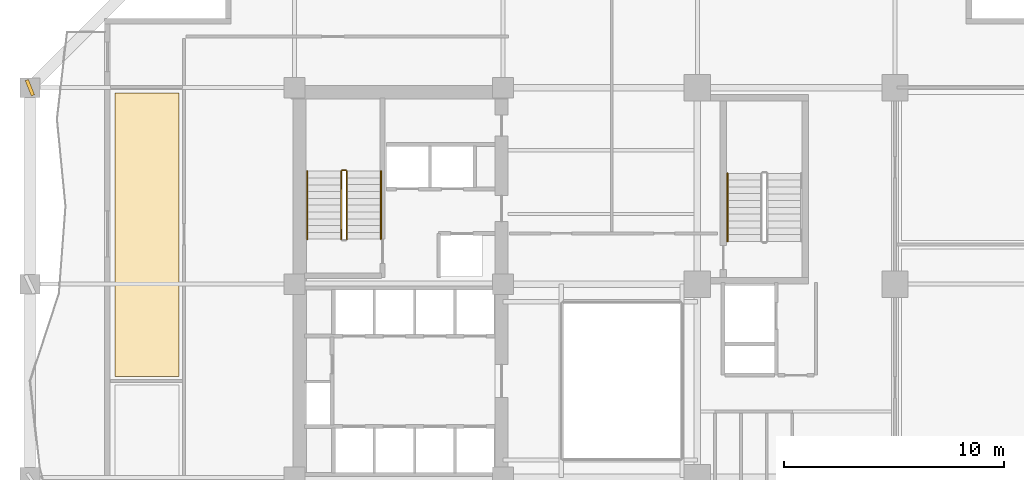
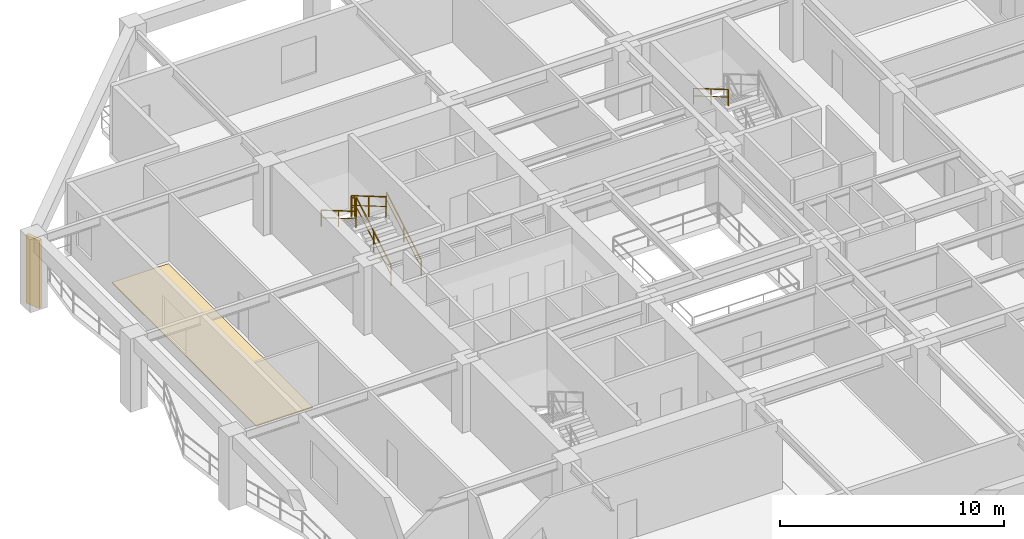
# One storey, part 10 of 12: 6 railings, 1 covering, 1 shading device.
"""IFC4 building model written with IfcOpenShell, lengths in metres."""

from ifc_helpers import new_model, si_unit, direction, frame, origin, origin_2d, place, context, subcontext, project, spatial, polyline, rectangle, outline, extrude, material, layer, layer_set, type_object, element, save


model = new_model("IFC4")

# Units and contexts
model_context = context("Model", 3, precision=1e-05, world=origin(), true_north=direction((0.0, 1.0)))
body_context = subcontext(model_context, "Body", "Model", "MODEL_VIEW")
ifc_project = project(units=[si_unit("LENGTHUNIT", "METRE"), si_unit("AREAUNIT", "SQUARE_METRE"), si_unit("VOLUMEUNIT", "CUBIC_METRE"), si_unit("PLANEANGLEUNIT", "RADIAN"), si_unit("MASSUNIT", "GRAM", prefix="KILO")], contexts=[model_context])

# Site, building, storey
site_placement = place(None, origin())
site = spatial("IfcSite", under=ifc_project, at=site_placement, CompositionType="ELEMENT")
building_placement = place(site_placement, origin())
building = spatial("IfcBuilding", under=site, at=building_placement, Name="Kundavana Baori Tower", CompositionType="ELEMENT")
storey_placement = place(building_placement, frame((0.0, 0.0, 42.0)))
storey = spatial("IfcBuildingStorey", under=building, at=storey_placement, Name="L09", CompositionType="ELEMENT", Elevation=42.0)

# Covering
ifc_material_1 = material(Name="Honed Kota Stone and Terrazzo Flooring", Category="masonry")
ifc_layer = layer(ifc_material_1, 0.0400390625, Name="COV-FLR-TERR-40")
ifc_layer_set = layer_set([ifc_layer], Name="Honed Kota Stone and Terrazzo Flooring")
covering_type = type_object("IfcCoveringType", Name="COV-FLR-TERR-40", PredefinedType="FLOORING", material=ifc_layer_set)
covering_placement = place(storey_placement, origin())
element("IfcCovering", 1, at=covering_placement, inside=storey, type_object=covering_type, Name="L09 Room Finished Stone Flooring 2", PredefinedType="FLOORING", context=body_context, shape_type="SweptSolid", body=[
    extrude(outline(polyline([(7.280029296875, 28.800048828125), (10.199951171875, 28.800048828125), (10.199951171875, 41.699951171875), (7.280029296875, 41.699951171875), (7.280029296875, 28.800048828125)])), origin(), (0.0, 0.0, 1.0), 0.0400390625),
])

# Railings
ifc_material_2 = material(Name="Architectural Patinated Bronze Metalwork")
railing_type_1 = type_object("IfcRailingType", Name="RL-GRD-1150", PredefinedType="GUARDRAIL", material=ifc_material_2)
railing_1_placement = place(storey_placement, frame((17.840087890625, 35.050048828125, 0.181884765625)))
element("IfcRailing", 2, at=railing_1_placement, inside=storey, type_object=railing_type_1, Name="L09 ST2 stair guard 1", PredefinedType="GUARDRAIL", context=body_context, shape_type="SweptSolid", body=[
    extrude(rectangle(XDim=0.048095703125, YDim=0.048095703125, at=origin_2d()), frame((0.0, 0.0, 1.1259765625), z_axis=(0.0, 0.86258143422, 0.50591824373), x_axis=(-1.0, 0.0, 0.0)), (0.0, 0.0, 1.0), 3.59375),
    extrude(rectangle(XDim=0.03125, YDim=0.03125, at=origin_2d()), frame((0.0, 0.0, 0.597900390625), z_axis=(0.0, 0.86258143422, 0.50591824373), x_axis=(-1.0, 0.0, 0.0)), (0.0, 0.0, 1.0), 3.59375),
    extrude(rectangle(XDim=0.0419921875, YDim=0.0419921875, at=origin_2d()), origin(), (0.0, 0.0, 1.0), 1.101806640625),
    extrude(rectangle(XDim=0.0419921875, YDim=0.0419921875, at=origin_2d()), frame((0.0, 1.5498046875, 0.9091796875)), (0.0, 0.0, 1.0), 1.101806640625),
    extrude(rectangle(XDim=0.0419921875, YDim=0.0419921875, at=origin_2d()), frame((0.0, 3.099853515625, 1.818115234375)), (0.0, 0.0, 1.0), 1.101806640625),
])
railing_2_placement = place(storey_placement, frame((17.7900390625, 38.199951171875, 2.0)))
element("IfcRailing", 3, at=railing_2_placement, inside=storey, type_object=railing_type_1, Name="L09 ST2 stair guard 2", PredefinedType="GUARDRAIL", context=body_context, shape_type="SweptSolid", body=[
    extrude(rectangle(XDim=0.048095703125, YDim=0.048095703125, at=origin_2d()), frame((0.0, 0.0, 1.1259765625), z_axis=(-1.0, 0.0, 0.0), x_axis=(0.0, -1.0, 0.0)), (0.0, 0.0, 1.0), 0.16015625),
    extrude(rectangle(XDim=0.03125, YDim=0.03125, at=origin_2d()), frame((0.0, 0.0, 0.597900390625), z_axis=(-1.0, 0.0, 0.0), x_axis=(0.0, -1.0, 0.0)), (0.0, 0.0, 1.0), 0.16015625),
    extrude(rectangle(XDim=0.0419921875, YDim=0.0419921875, at=origin_2d()), origin(), (0.0, 0.0, 1.0), 1.101806640625),
    extrude(rectangle(XDim=0.0419921875, YDim=0.0419921875, at=origin_2d()), frame((-0.16015625, 0.0, 0.0)), (0.0, 0.0, 1.0), 1.101806640625),
])
railing_3_placement = place(storey_placement, frame((17.580078125, 38.14990234375, 2.181884765625)))
element("IfcRailing", 4, at=railing_3_placement, inside=storey, type_object=railing_type_1, Name="L09 ST2 stair guard 3", PredefinedType="GUARDRAIL", context=body_context, shape_type="SweptSolid", body=[
    extrude(rectangle(XDim=0.048095703125, YDim=0.048095703125, at=origin_2d()), frame((0.0, 0.0, 1.1259765625), z_axis=(0.0, -0.86258143422, 0.50591824373), x_axis=(1.0, 0.0, 0.0)), (0.0, 0.0, 1.0), 3.59375),
    extrude(rectangle(XDim=0.03125, YDim=0.03125, at=origin_2d()), frame((0.0, 0.0, 0.597900390625), z_axis=(0.0, -0.86258143422, 0.50591824373), x_axis=(1.0, 0.0, 0.0)), (0.0, 0.0, 1.0), 3.59375),
    extrude(rectangle(XDim=0.0419921875, YDim=0.0419921875, at=origin_2d()), origin(), (0.0, 0.0, 1.0), 1.101806640625),
    extrude(rectangle(XDim=0.0419921875, YDim=0.0419921875, at=origin_2d()), frame((0.0, -1.5498046875, 0.9091796875)), (0.0, 0.0, 1.0), 1.101806640625),
    extrude(rectangle(XDim=0.0419921875, YDim=0.0419921875, at=origin_2d()), frame((0.0, -3.099853515625, 1.818115234375)), (0.0, 0.0, 1.0), 1.101806640625),
])
ifc_material_3 = material(Name="Architectural Patinated Bronze Metalwork")
railing_type_2 = type_object("IfcRailingType", Name="RL-HND-920", PredefinedType="HANDRAIL", material=ifc_material_3)
railing_4_placement = place(storey_placement, frame((19.389892578125, 35.050048828125, 0.181884765625)))
element("IfcRailing", 5, at=railing_4_placement, inside=storey, type_object=railing_type_2, Name="L09 ST2 stair handrail 1", PredefinedType="HANDRAIL", context=body_context, shape_type="SweptSolid", body=[
    extrude(rectangle(XDim=0.048095703125, YDim=0.048095703125, at=origin_2d()), frame((0.0, 0.0, 0.8759765625), z_axis=(0.0, 0.86258143422, 0.50591824373), x_axis=(-1.0, 0.0, 0.0)), (0.0, 0.0, 1.0), 3.59375),
    extrude(rectangle(XDim=0.03125, YDim=0.03125, at=origin_2d()), frame((0.0, 0.0, 0.468017578125), z_axis=(0.0, 0.86258143422, 0.50591824373), x_axis=(-1.0, 0.0, 0.0)), (0.0, 0.0, 1.0), 3.59375),
    extrude(rectangle(XDim=0.0419921875, YDim=0.0419921875, at=origin_2d()), origin(), (0.0, 0.0, 1.0), 0.851806640625),
    extrude(rectangle(XDim=0.0419921875, YDim=0.0419921875, at=origin_2d()), frame((0.0, 1.5498046875, 0.9091796875)), (0.0, 0.0, 1.0), 0.851806640625),
    extrude(rectangle(XDim=0.0419921875, YDim=0.0419921875, at=origin_2d()), frame((0.0, 3.099853515625, 1.818115234375)), (0.0, 0.0, 1.0), 0.851806640625),
])
railing_5_placement = place(storey_placement, frame((16.030029296875, 38.14990234375, 2.181884765625)))
element("IfcRailing", 6, at=railing_5_placement, inside=storey, type_object=railing_type_2, Name="L09 ST2 stair handrail 2", PredefinedType="HANDRAIL", context=body_context, shape_type="SweptSolid", body=[
    extrude(rectangle(XDim=0.048095703125, YDim=0.048095703125, at=origin_2d()), frame((0.0, 0.0, 0.8759765625), z_axis=(0.0, -0.86258143422, 0.50591824373), x_axis=(1.0, 0.0, 0.0)), (0.0, 0.0, 1.0), 3.59375),
    extrude(rectangle(XDim=0.03125, YDim=0.03125, at=origin_2d()), frame((0.0, 0.0, 0.468017578125), z_axis=(0.0, -0.86258143422, 0.50591824373), x_axis=(1.0, 0.0, 0.0)), (0.0, 0.0, 1.0), 3.59375),
    extrude(rectangle(XDim=0.0419921875, YDim=0.0419921875, at=origin_2d()), origin(), (0.0, 0.0, 1.0), 0.851806640625),
    extrude(rectangle(XDim=0.0419921875, YDim=0.0419921875, at=origin_2d()), frame((0.0, -1.5498046875, 0.9091796875)), (0.0, 0.0, 1.0), 0.851806640625),
    extrude(rectangle(XDim=0.0419921875, YDim=0.0419921875, at=origin_2d()), frame((0.0, -3.099853515625, 1.818115234375)), (0.0, 0.0, 1.0), 0.851806640625),
])
railing_6_placement = place(storey_placement, frame((35.169921875, 38.050048828125, 2.181884765625)))
element("IfcRailing", 7, at=railing_6_placement, inside=storey, type_object=railing_type_2, Name="L09 ST3 stair handrail 2", PredefinedType="HANDRAIL", context=body_context, shape_type="SweptSolid", body=[
    extrude(rectangle(XDim=0.048095703125, YDim=0.048095703125, at=origin_2d()), frame((0.0, 0.0, 0.8759765625), z_axis=(0.0, -0.862598821094, 0.505888598258), x_axis=(1.0, 0.0, 0.0)), (0.0, 0.0, 1.0), 3.593994140625),
    extrude(rectangle(XDim=0.03125, YDim=0.03125, at=origin_2d()), frame((0.0, 0.0, 0.468017578125), z_axis=(0.0, -0.862598821094, 0.505888598258), x_axis=(1.0, 0.0, 0.0)), (0.0, 0.0, 1.0), 3.593994140625),
    extrude(rectangle(XDim=0.0419921875, YDim=0.0419921875, at=origin_2d()), origin(), (0.0, 0.0, 1.0), 0.851806640625),
    extrude(rectangle(XDim=0.0419921875, YDim=0.0419921875, at=origin_2d()), frame((0.0, -1.550048828125, 0.9091796875)), (0.0, 0.0, 1.0), 0.851806640625),
    extrude(rectangle(XDim=0.0419921875, YDim=0.0419921875, at=origin_2d()), frame((0.0, -3.10009765625, 1.818115234375)), (0.0, 0.0, 1.0), 0.851806640625),
])

# Shading device
ifc_material_4 = material(Name="Red-Buff Dholpur Sandstone Cladding on Concrete C40/50", Category="masonry")
shading_device_type = type_object("IfcShadingDeviceType", Name="SHD-FIN-750", PredefinedType="JALOUSIE", material=ifc_material_4)
shading_device_placement = place(storey_placement, frame((3.39990234375, 41.949951171875, 0.0), z_axis=(0.0, 0.0, 1.0), x_axis=(0.926397247385, 0.376547659716, 0.0)))
element("IfcShadingDevice", 8, at=shading_device_placement, inside=storey, type_object=shading_device_type, Name="L09 Sweeping Dholpur Sandstone Facade Fin 8", PredefinedType="JALOUSIE", context=body_context, shape_type="SweptSolid", body=[
    extrude(rectangle(XDim=0.159912109375, YDim=0.75, at=origin_2d()), origin(), (0.0, 0.0, 1.0), 3.719970703125),
])

save(model, "model.ifc")
